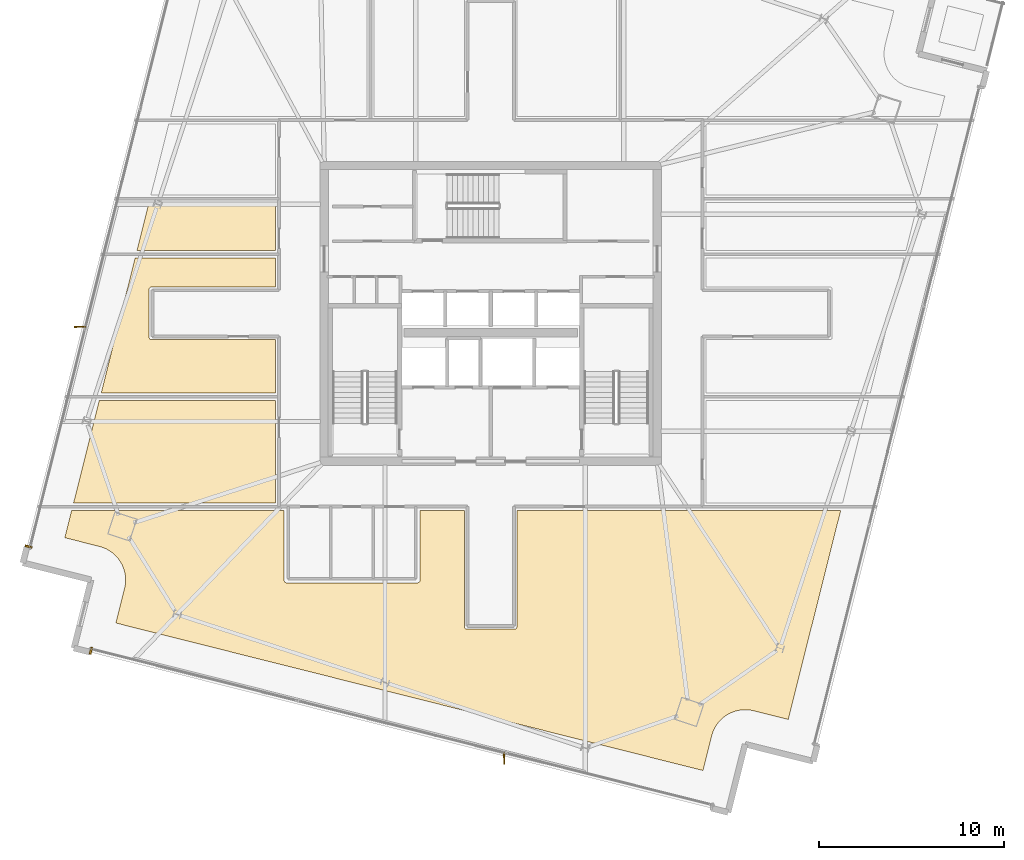
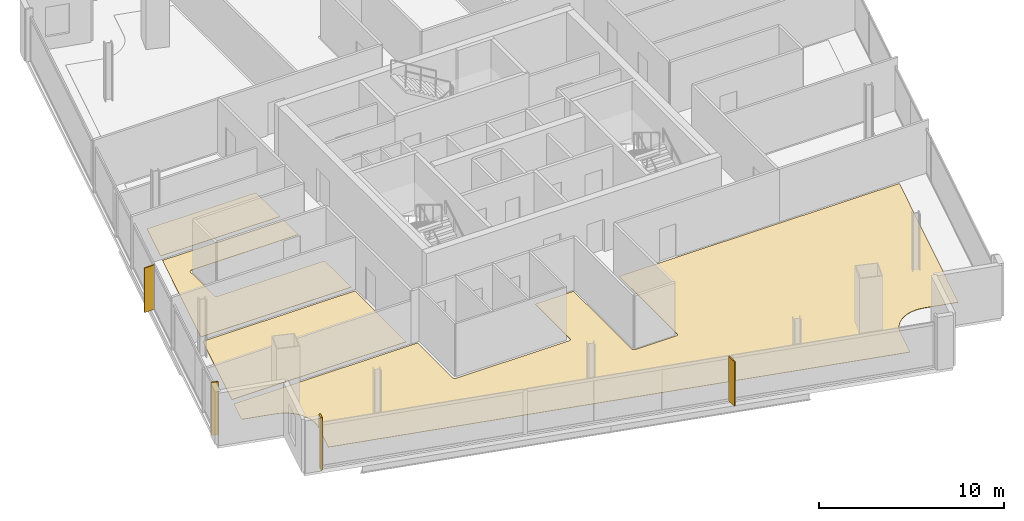
# One storey, part 24 of 28: 6 coverings, 2 shading devices.
"""IFC4 building model written with IfcOpenShell, lengths in metres."""

from ifc_helpers import new_model, si_unit, direction, frame, origin, origin_2d, place, context, subcontext, project, spatial, polyline, rectangle, outline, extrude, source, transform, mapped, material, layer, layer_set, type_object, element, save


model = new_model("IFC4")

# Units and contexts
model_context = context("Model", 3, precision=1e-05, world=origin(), true_north=direction((0.0, 1.0)))
body_context = subcontext(model_context, "Body", "Model", "MODEL_VIEW")
ifc_project = project(units=[si_unit("LENGTHUNIT", "METRE"), si_unit("AREAUNIT", "SQUARE_METRE"), si_unit("VOLUMEUNIT", "CUBIC_METRE"), si_unit("PLANEANGLEUNIT", "RADIAN"), si_unit("MASSUNIT", "GRAM", prefix="KILO")], contexts=[model_context])

# Site, building, storey
site_placement = place(None, origin())
site = spatial("IfcSite", under=ifc_project, at=site_placement, CompositionType="ELEMENT")
building_placement = place(site_placement, origin())
building = spatial("IfcBuilding", under=site, at=building_placement, Name="Haldenkirk Collegiate Tower", CompositionType="ELEMENT")
storey_placement = place(building_placement, frame((0.0, 0.0, 282.449951171875)))
storey = spatial("IfcBuildingStorey", under=building, at=storey_placement, Name="L71", CompositionType="ELEMENT", Elevation=282.449951171875)

# Coverings
ifc_material_1 = material(Name="Polished collegiate terrazzo", Category="concrete")
ifc_layer_1 = layer(ifc_material_1, 0.02490234375)
ifc_layer_set_1 = layer_set([ifc_layer_1], Name="Polished collegiate terrazzo")
covering_type_1 = type_object("IfcCoveringType", Name="COV-FLOOR-TERRAZZO", PredefinedType="FLOORING", material=ifc_layer_set_1)
covering_1_placement = place(storey_placement, origin())
element("IfcCovering", 1, at=covering_1_placement, inside=storey, type_object=covering_type_1, Name="L71 academic room finish 06", PredefinedType="FLOORING", context=body_context, shape_type="SweptSolid", body=[
    extrude(outline(polyline([(17.64990234375, 27.419921875), (17.63818359375, 27.41943359375), (17.626708984375, 27.417724609375), (17.615234375, 27.414794921875), (17.60400390625, 27.410888671875), (17.593505859375, 27.40576171875), (17.583251953125, 27.39990234375), (17.573974609375, 27.392822265625), (17.565185546875, 27.385009765625), (17.55712890625, 27.376220703125), (17.55029296875, 27.36669921875), (17.544189453125, 27.356689453125), (17.5390625, 27.345947265625), (17.53515625, 27.334716796875), (17.5322265625, 27.323486328125), (17.530517578125, 27.311767578125), (17.530029296875, 27.300048828125), (17.530029296875, 24.699951171875), (17.530517578125, 24.688232421875), (17.5322265625, 24.676513671875), (17.53515625, 24.665283203125), (17.5390625, 24.654052734375), (17.544189453125, 24.643310546875), (17.55029296875, 24.63330078125), (17.55712890625, 24.623779296875), (17.565185546875, 24.614990234375), (17.573974609375, 24.607177734375), (17.583251953125, 24.60009765625), (17.593505859375, 24.59423828125), (17.60400390625, 24.589111328125), (17.615234375, 24.585205078125), (17.626708984375, 24.582275390625), (17.63818359375, 24.58056640625), (17.64990234375, 24.580078125), (24.35009765625, 24.580078125), (24.35009765625, 21.699951171875), (14.93798828125, 21.699951171875), (16.771484375, 29.0), (24.35009765625, 29.0), (24.35009765625, 27.419921875), (17.64990234375, 27.419921875)])), origin(), (0.0, 0.0, 1.0), 0.025146484375),
])
ifc_material_2 = material(Name="Engineered collegiate oak acoustic flooring", Category="wood")
ifc_layer_2 = layer(ifc_material_2, 0.02197265625)
ifc_layer_set_2 = layer_set([ifc_layer_2], Name="Engineered collegiate oak acoustic flooring")
covering_type_2 = type_object("IfcCoveringType", Name="COV-FLOOR-TIMBER", PredefinedType="FLOORING", material=ifc_layer_set_2)
covering_2_placement = place(storey_placement, origin())
element("IfcCovering", 2, at=covering_2_placement, inside=storey, type_object=covering_type_2, Name="L71 academic room finish 01", PredefinedType="FLOORING", context=body_context, shape_type="SweptSolid", body=[
    extrude(outline(polyline([(49.494873046875, 4.5458984375), (49.483154296875, 4.544189453125), (49.314697265625, 4.5107421875), (49.303466796875, 4.5078125), (49.138916015625, 4.458251953125), (49.1279296875, 4.4541015625), (48.96923828125, 4.388671875), (48.95849609375, 4.383544921875), (48.806884765625, 4.302734375), (48.796875, 4.296630859375), (48.654052734375, 4.201416015625), (48.64453125, 4.1943359375), (48.51171875, 4.08544921875), (48.5029296875, 4.077392578125), (48.381591796875, 3.956298828125), (48.37353515625, 3.947509765625), (48.2646484375, 3.814697265625), (48.257568359375, 3.805419921875), (48.162109375, 3.66259765625), (48.156005859375, 3.652587890625), (48.074951171875, 3.501220703125), (48.06982421875, 3.490478515625), (48.004150390625, 3.331787109375), (48.0, 3.32080078125), (47.9501953125, 3.156494140625), (47.948486328125, 3.150634765625), (47.478271484375, 1.27880859375), (15.7294921875, 9.253662109375), (16.19970703125, 11.12548828125), (16.201171875, 11.131103515625), (16.234619140625, 11.299560546875), (16.236328125, 11.311279296875), (16.25341796875, 11.482177734375), (16.25390625, 11.493896484375), (16.25390625, 11.66552734375), (16.25341796875, 11.677490234375), (16.23681640625, 11.848388671875), (16.235107421875, 11.85986328125), (16.20166015625, 12.0283203125), (16.19873046875, 12.039794921875), (16.149169921875, 12.2041015625), (16.14501953125, 12.21533203125), (16.07958984375, 12.3740234375), (16.074462890625, 12.384765625), (15.99365234375, 12.5361328125), (15.987548828125, 12.54638671875), (15.89208984375, 12.689208984375), (15.88525390625, 12.698486328125), (15.7763671875, 12.83154296875), (15.768310546875, 12.840087890625), (15.647216796875, 12.961669921875), (15.638427734375, 12.969482421875), (15.505615234375, 13.07861328125), (15.49609375, 13.085693359375), (15.353515625, 13.18115234375), (15.343505859375, 13.187255859375), (15.192138671875, 13.268310546875), (15.181396484375, 13.273193359375), (15.022705078125, 13.339111328125), (15.01171875, 13.343017578125), (14.847412109375, 13.39306640625), (14.841796875, 13.394775390625), (12.9697265625, 13.864990234375), (13.343017578125, 15.35009765625), (24.830078125, 15.35009765625), (24.830078125, 11.550048828125), (24.83056640625, 11.5380859375), (24.832275390625, 11.526611328125), (24.835205078125, 11.51513671875), (24.839111328125, 11.504150390625), (24.84423828125, 11.493408203125), (24.85009765625, 11.4833984375), (24.857177734375, 11.473876953125), (24.864990234375, 11.465087890625), (24.873779296875, 11.457275390625), (24.88330078125, 11.4501953125), (24.893310546875, 11.444091796875), (24.904052734375, 11.439208984375), (24.915283203125, 11.435302734375), (24.926513671875, 11.432373046875), (24.938232421875, 11.4306640625), (24.949951171875, 11.429931640625), (32.050048828125, 11.429931640625), (32.061767578125, 11.4306640625), (32.073486328125, 11.432373046875), (32.084716796875, 11.435302734375), (32.095947265625, 11.439208984375), (32.106689453125, 11.444091796875), (32.11669921875, 11.4501953125), (32.126220703125, 11.457275390625), (32.135009765625, 11.465087890625), (32.142822265625, 11.473876953125), (32.14990234375, 11.4833984375), (32.15576171875, 11.493408203125), (32.160888671875, 11.504150390625), (32.164794921875, 11.51513671875), (32.167724609375, 11.526611328125), (32.16943359375, 11.5380859375), (32.169921875, 11.550048828125), (32.169921875, 15.35009765625), (34.580078125, 15.35009765625), (34.580078125, 9.050048828125), (34.58056640625, 9.0380859375), (34.582275390625, 9.026611328125), (34.585205078125, 9.01513671875), (34.589111328125, 9.004150390625), (34.59423828125, 8.993408203125), (34.60009765625, 8.9833984375), (34.607177734375, 8.973876953125), (34.614990234375, 8.965087890625), (34.623779296875, 8.957275390625), (34.63330078125, 8.9501953125), (34.643310546875, 8.944091796875), (34.654052734375, 8.939208984375), (34.665283203125, 8.935302734375), (34.676513671875, 8.932373046875), (34.688232421875, 8.9306640625), (34.699951171875, 8.929931640625), (37.300048828125, 8.929931640625), (37.311767578125, 8.9306640625), (37.323486328125, 8.932373046875), (37.334716796875, 8.935302734375), (37.345947265625, 8.939208984375), (37.356689453125, 8.944091796875), (37.36669921875, 8.9501953125), (37.376220703125, 8.957275390625), (37.385009765625, 8.965087890625), (37.392822265625, 8.973876953125), (37.39990234375, 8.9833984375), (37.40576171875, 8.993408203125), (37.410888671875, 9.004150390625), (37.414794921875, 9.01513671875), (37.417724609375, 9.026611328125), (37.41943359375, 9.0380859375), (37.419921875, 9.050048828125), (37.419921875, 15.35009765625), (54.930908203125, 15.35009765625), (52.089599609375, 4.038818359375), (50.2177734375, 4.5087890625), (50.2119140625, 4.51025390625), (50.043701171875, 4.543701171875), (50.031982421875, 4.54541015625), (49.861083984375, 4.5625), (49.849365234375, 4.56298828125), (49.677490234375, 4.56298828125), (49.665771484375, 4.5625), (49.494873046875, 4.5458984375)])), origin(), (0.0, 0.0, 1.0), 0.02197265625),
])
covering_3_placement = place(storey_placement, origin())
element("IfcCovering", 3, at=covering_3_placement, inside=storey, type_object=covering_type_2, Name="L71 academic room finish 05", PredefinedType="FLOORING", context=body_context, shape_type="SweptSolid", body=[
    extrude(outline(polyline([(14.83740234375, 21.300048828125), (24.35009765625, 21.300048828125), (24.35009765625, 15.75), (13.443359375, 15.75), (14.83740234375, 21.300048828125)])), origin(), (0.0, 0.0, 1.0), 0.02197265625),
])
covering_4_placement = place(storey_placement, origin())
element("IfcCovering", 4, at=covering_4_placement, inside=storey, type_object=covering_type_2, Name="L71 academic room finish 07", PredefinedType="FLOORING", context=body_context, shape_type="SweptSolid", body=[
    extrude(outline(polyline([(17.525146484375, 32.0), (24.35009765625, 32.0), (24.35009765625, 29.39990234375), (16.8720703125, 29.39990234375), (17.525146484375, 32.0)])), origin(), (0.0, 0.0, 1.0), 0.02197265625),
])
ifc_material_3 = material(Name="Anodised architectural bronze aluminium", Category="aluminium")
ifc_layer_3 = layer(ifc_material_3, 0.06005859375)
ifc_layer_set_3 = layer_set([ifc_layer_3], Name="Anodised architectural bronze aluminium")
covering_type_3 = type_object("IfcCoveringType", Name="COV-CLAD-BRONZE-60", PredefinedType="CLADDING", material=ifc_layer_set_3)
shared_shape_1 = source(origin(), body_context, "Body", "SweptSolid", [
    extrude(rectangle(XDim=0.10009765625, YDim=0.3798828125, at=origin_2d()), origin(), (0.0, 0.0, 1.0), 3.47998046875),
])
for number, where, z_axis, x_axis, name in (
    (5, (11.014404296875, 13.386962890625, 0.0), (0.0, 0.0, 1.0), (0.243615011786, 0.969872015285, 0.0), "L71 recessed curtain-wall bronze jamb closure NJL"),
    (6, (14.38427734375, 7.756103515625, 0.0), (0.0, 0.0, 1.0), (-0.969872015285, 0.243615011786, 0.0), "L71 recessed curtain-wall bronze jamb closure WJR"),
):
    element("IfcCovering", number, at=place(storey_placement, frame(where, z_axis=z_axis, x_axis=x_axis)), inside=storey, type_object=covering_type_3, Name=name, PredefinedType="CLADDING", context=body_context, shape_type="MappedRepresentation", body=[
        mapped(shared_shape_1, transform((0.0, 0.0, 0.0), x_axis=(1.0, 0.0, 0.0), y_axis=(0.0, 1.0, 0.0), z_axis=(0.0, 0.0, 1.0), scale=1.0)),
    ])

# Shading devices
ifc_layer_4 = layer(ifc_material_3, 0.06494140625)
ifc_layer_set_4 = layer_set([ifc_layer_4], Name="Anodised architectural bronze aluminium")
shading_device_type = type_object("IfcShadingDeviceType", Name="SHD-FIN-BRONZE-620", PredefinedType="USERDEFINED", material=ifc_layer_set_4)
shared_shape_2 = source(origin(), body_context, "Body", "SweptSolid", [
    extrude(rectangle(XDim=0.6201171875, YDim=0.06494140625, at=origin_2d()), origin(), (0.0, 0.0, 1.0), 2.93798828125),
])
for number, where, z_axis, x_axis, name in (
    (7, (13.78857421875, 25.2724609375, 0.0), (0.0, 0.0, 1.0), (-0.999450215942, -0.033155178389, 0.0), "L71 folded bronze solar fin 1"),
    (8, (36.7255859375, 1.93310546875, 0.0), (0.0, 0.0, 1.0), (0.033155178389, -0.999450215942, 0.0), "L71 folded bronze solar fin 1"),
):
    element("IfcShadingDevice", number, at=place(storey_placement, frame(where, z_axis=z_axis, x_axis=x_axis)), inside=storey, type_object=shading_device_type, Name=name, ObjectType="FIN", PredefinedType="USERDEFINED", context=body_context, shape_type="MappedRepresentation", body=[
        mapped(shared_shape_2, transform((0.0, 0.0, 0.0), x_axis=(1.0, 0.0, 0.0), y_axis=(0.0, 1.0, 0.0), z_axis=(0.0, 0.0, 1.0), scale=1.0)),
    ])

save(model, "model.ifc")
